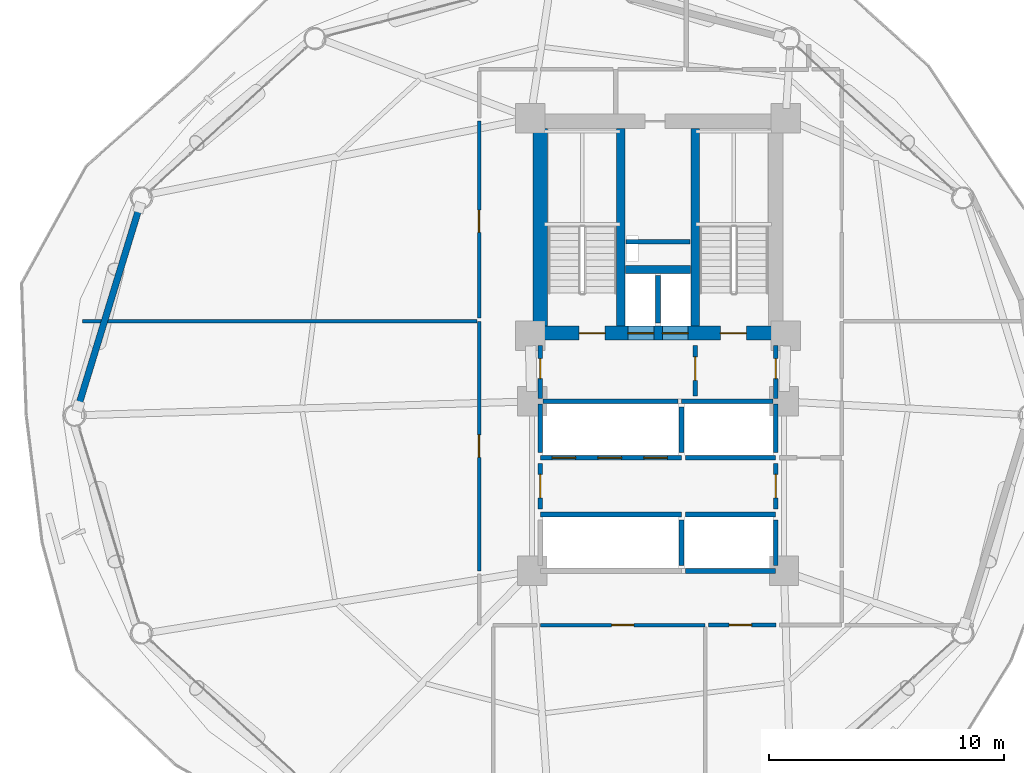
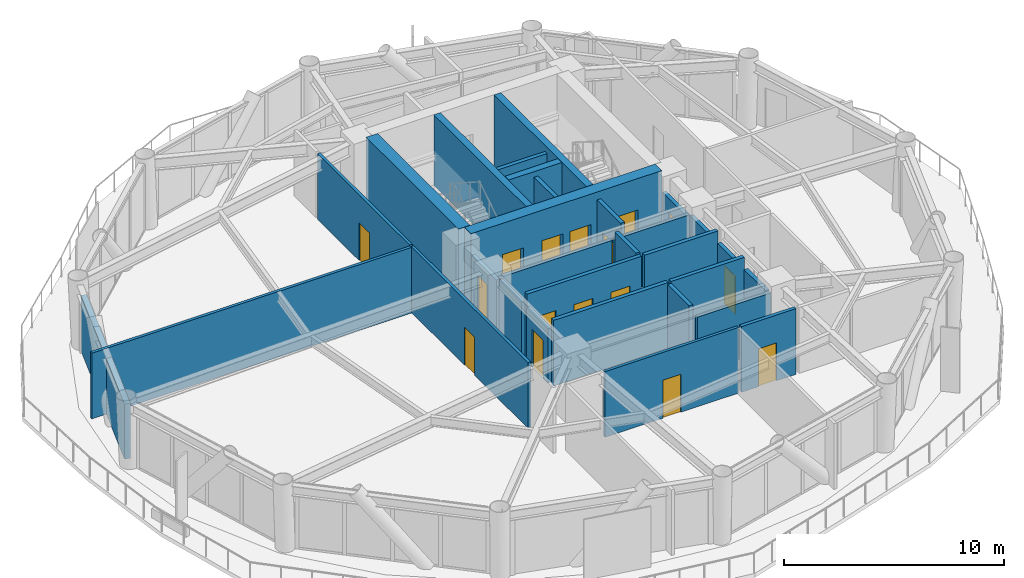
# One storey, part 19 of 23: 30 walls, 16 doors, 16 openings.
"""IFC4 building model written with IfcOpenShell, lengths in metres."""

from ifc_helpers import new_model, si_unit, direction, frame, frame_2d, origin, place, context, subcontext, project, spatial, rectangle, extrude, material, layer, layer_set, type_object, element, fill, save


model = new_model("IFC4")

# Units and contexts
model_context = context("Model", 3, precision=1e-05, world=origin(), true_north=direction((0.0, 1.0)))
body_context = subcontext(model_context, "Body", "Model", "MODEL_VIEW")
ifc_project = project(units=[si_unit("LENGTHUNIT", "METRE"), si_unit("AREAUNIT", "SQUARE_METRE"), si_unit("VOLUMEUNIT", "CUBIC_METRE"), si_unit("PLANEANGLEUNIT", "RADIAN"), si_unit("MASSUNIT", "GRAM", prefix="KILO")], contexts=[model_context])

# Site, building, storey
site_placement = place(None, origin())
site = spatial("IfcSite", under=ifc_project, at=site_placement, CompositionType="ELEMENT")
building_placement = place(site_placement, origin())
building = spatial("IfcBuilding", under=site, at=building_placement, Name="Varnakorn Sky Granary", CompositionType="ELEMENT")
storey_placement = place(building_placement, frame((0.0, 0.0, 31.5)))
storey = spatial("IfcBuildingStorey", under=building, at=storey_placement, Name="L07", CompositionType="ELEMENT", Elevation=31.5)

# Walls
ifc_material_1 = material(Name="Concrete C50/60", Category="concrete")
ifc_layer_1 = layer(ifc_material_1, 0.35009765625, Name="Concrete C50/60")
ifc_layer_set_1 = layer_set([ifc_layer_1], Name="Concrete C50/60")
wall_type_1 = type_object("IfcWallType", Name="WT-CW-INT-350", PredefinedType="SHEAR", material=ifc_layer_set_1)
for number, where, z_axis, x_axis, name in (
    (1, (1.419921875, 3.81005859375, 0.0), (0.0, 0.0, 1.0), (0.0, 1.0, 0.0), "Stair ST-1 Core Wall L07"),
    (2, (4.580078125, 3.81005859375, 0.0), (0.0, 0.0, 1.0), (0.0, 1.0, 0.0), "Stair ST-2 Core Wall L07"),
):
    element("IfcWall", number, at=place(storey_placement, frame(where, z_axis=z_axis, x_axis=x_axis)), inside=storey, type_object=wall_type_1, Name=name, PredefinedType="SHEAR", context=body_context, shape_type="SweptSolid", body=[
        extrude(rectangle(XDim=8.3798828125, YDim=0.35009765625, at=frame_2d((4.18994140625, 0.0))), origin(), (0.0, 0.0, 1.0), 3.89208984375),
    ])
wall_1_placement = place(storey_placement, frame((1.610107421875, 6.199951171875, 0.0), z_axis=(0.0, 0.0, 1.0), x_axis=(1.0, 0.0, 0.0)))
element("IfcWall", 3, at=wall_1_placement, inside=storey, type_object=wall_type_1, Name="Core Lift Shaft Cross Wall L07", PredefinedType="SHEAR", context=body_context, shape_type="SweptSolid", body=[
    extrude(rectangle(XDim=2.77978515625, YDim=0.35009765625, at=frame_2d((1.389892578125, 0.0))), origin(), (0.0, 0.0, 1.0), 3.89208984375),
])

# Wall, openings, doors
ifc_material_2 = material(Name="Concrete C60/75", Category="concrete")
ifc_layer_2 = layer(ifc_material_2, 0.60009765625, Name="Concrete C60/75")
ifc_layer_set_2 = layer_set([ifc_layer_2], Name="Concrete C60/75")
wall_type_2 = type_object("IfcWallType", Name="WT-CW-SHEAR-600", PredefinedType="SHEAR", material=ifc_layer_set_2)
wall_2_placement = place(storey_placement, frame((-2.0, 3.5, 0.0), z_axis=(0.0, 0.0, 1.0), x_axis=(1.0, 0.0, 0.0)))
wall_2 = element("IfcWall", 4, at=wall_2_placement, inside=storey, type_object=wall_type_2, Name="Core South Shear Wall L07", PredefinedType="SHEAR", context=body_context, shape_type="SweptSolid", body=[
    extrude(rectangle(XDim=10.0, YDim=0.60009765625, at=frame_2d((5.0, 0.0))), origin(), (0.0, 0.0, 1.0), 3.89208984375),
])
opening_1_placement = place(wall_2_placement, frame((1.64990234375, 0.0, 0.0)))
opening_1 = element("IfcOpeningElement", 5, at=opening_1_placement, cuts=wall_2, Name="Opening FD-90", PredefinedType="OPENING", context=body_context, shape_type="SweptSolid", body=[
    extrude(rectangle(XDim=1.10009765625, YDim=2.14990234375, at=frame_2d((0.550048828125, 1.074951171875))), frame((0.0, 0.31005859375, 0.0), z_axis=(0.0, -1.0, 0.0), x_axis=(1.0, 0.0, 0.0)), (0.0, 0.0, 1.0), 0.6201171875),
])
opening_2_placement = place(wall_2_placement, frame((7.64990234375, 0.0, 0.0)))
opening_2 = element("IfcOpeningElement", 6, at=opening_2_placement, cuts=wall_2, Name="Opening FD-90", PredefinedType="OPENING", context=body_context, shape_type="SweptSolid", body=[
    extrude(rectangle(XDim=1.10009765625, YDim=2.14990234375, at=frame_2d((0.550048828125, 1.074951171875))), frame((0.0, 0.31005859375, 0.0), z_axis=(0.0, -1.0, 0.0), x_axis=(1.0, 0.0, 0.0)), (0.0, 0.0, 1.0), 0.6201171875),
])
opening_3_placement = place(wall_2_placement, frame((3.719970703125, 0.0, 0.0)))
opening_3 = element("IfcOpeningElement", 7, at=opening_3_placement, cuts=wall_2, Name="Opening LD-01", PredefinedType="OPENING", context=body_context, shape_type="SweptSolid", body=[
    extrude(rectangle(XDim=1.10009765625, YDim=2.199951171875, at=frame_2d((0.550048828125, 1.10009765625))), frame((0.0, 0.31005859375, 0.0), z_axis=(0.0, -1.0, 0.0), x_axis=(1.0, 0.0, 0.0)), (0.0, 0.0, 1.0), 0.6201171875),
])
opening_4_placement = place(wall_2_placement, frame((5.179931640625, 0.0, 0.0)))
opening_4 = element("IfcOpeningElement", 8, at=opening_4_placement, cuts=wall_2, Name="Opening LD-01", PredefinedType="OPENING", context=body_context, shape_type="SweptSolid", body=[
    extrude(rectangle(XDim=1.10009765625, YDim=2.199951171875, at=frame_2d((0.550048828125, 1.10009765625))), frame((0.0, 0.31005859375, 0.0), z_axis=(0.0, -1.0, 0.0), x_axis=(1.0, 0.0, 0.0)), (0.0, 0.0, 1.0), 0.6201171875),
])
ifc_material_3 = material(Name="Brushed Bronze Stainless Steel", Category="steel")
door_type_1 = type_object("IfcDoorType", Name="DR-LD-1100", OperationType="DOUBLE_DOOR_SLIDING", PredefinedType="DOOR", material=ifc_material_3)
door_1_placement = place(opening_3_placement, origin())
door_1 = element("IfcDoor", 9, at=door_1_placement, inside=storey, type_object=door_type_1, Name="Firefighting Lift FFL-1 Landing Door L07", OperationType="DOUBLE_DOOR_SLIDING", OverallHeight=2.199951171875, OverallWidth=1.10009765625, PredefinedType="DOOR", context=body_context, shape_type="SweptSolid", body=[
    extrude(rectangle(XDim=1.10009765625, YDim=2.199951171875, at=frame_2d((0.550048828125, 1.10009765625))), frame((0.0, 0.02490234375, 0.0), z_axis=(0.0, -1.0, 0.0), x_axis=(1.0, 0.0, 0.0)), (0.0, 0.0, 1.0), 0.050048828125),
])
fill(opening_3, door_1)
door_2_placement = place(opening_4_placement, origin())
door_2 = element("IfcDoor", 10, at=door_2_placement, inside=storey, type_object=door_type_1, Name="Firefighting Lift FFL-2 Landing Door L07", OperationType="DOUBLE_DOOR_SLIDING", OverallHeight=2.199951171875, OverallWidth=1.10009765625, PredefinedType="DOOR", context=body_context, shape_type="SweptSolid", body=[
    extrude(rectangle(XDim=1.10009765625, YDim=2.199951171875, at=frame_2d((0.550048828125, 1.10009765625))), frame((0.0, 0.02490234375, 0.0), z_axis=(0.0, -1.0, 0.0), x_axis=(1.0, 0.0, 0.0)), (0.0, 0.0, 1.0), 0.050048828125),
])
fill(opening_4, door_2)
ifc_material_4 = material(Name="Galvanised Painted Steel Leaf", Category="steel")
door_type_2 = type_object("IfcDoorType", Name="DR-STAIR-1100", OperationType="NOTDEFINED", PredefinedType="DOOR", material=ifc_material_4)
door_3_placement = place(opening_1_placement, origin())
door_3 = element("IfcDoor", 11, at=door_3_placement, inside=storey, type_object=door_type_2, Name="Stair ST-1 Protected Fire Door L07", OperationType="SINGLE_SWING_LEFT", OverallHeight=2.14990234375, OverallWidth=1.10009765625, PredefinedType="DOOR", context=body_context, shape_type="SweptSolid", body=[
    extrude(rectangle(XDim=1.10009765625, YDim=2.14990234375, at=frame_2d((0.550048828125, 1.074951171875))), frame((0.0, 0.02490234375, 0.0), z_axis=(0.0, -1.0, 0.0), x_axis=(1.0, 0.0, 0.0)), (0.0, 0.0, 1.0), 0.050048828125),
])
fill(opening_1, door_3)
door_4_placement = place(opening_2_placement, origin())
door_4 = element("IfcDoor", 12, at=door_4_placement, inside=storey, type_object=door_type_2, Name="Stair ST-2 Protected Fire Door L07", OperationType="SINGLE_SWING_RIGHT", OverallHeight=2.14990234375, OverallWidth=1.10009765625, PredefinedType="DOOR", context=body_context, shape_type="SweptSolid", body=[
    extrude(rectangle(XDim=1.10009765625, YDim=2.14990234375, at=frame_2d((0.550048828125, 1.074951171875))), frame((0.0, 0.02490234375, 0.0), z_axis=(0.0, -1.0, 0.0), x_axis=(1.0, 0.0, 0.0)), (0.0, 0.0, 1.0), 0.050048828125),
])
fill(opening_2, door_4)

# Walls
wall_3_placement = place(storey_placement, frame((-2.0, 3.81005859375, 0.0), z_axis=(0.0, 0.0, 1.0), x_axis=(0.0, 1.0, 0.0)))
element("IfcWall", 13, at=wall_3_placement, inside=storey, type_object=wall_type_2, Name="Core West Shear Wall L07", PredefinedType="SHEAR", context=body_context, shape_type="SweptSolid", body=[
    extrude(rectangle(XDim=8.3798828125, YDim=0.60009765625, at=frame_2d((4.18994140625, 0.0))), origin(), (0.0, 0.0, 1.0), 3.89208984375),
])
ifc_material_5 = material(Name="Precast concrete C40/50", Category="concrete")
ifc_layer_3 = layer(ifc_material_5, 0.280029296875, Name="Precast concrete C40/50")
ifc_layer_set_3 = layer_set([ifc_layer_3], Name="Precast concrete C40/50")
wall_type_3 = type_object("IfcWallType", Name="WT-EW-CRN-280", PredefinedType="SOLIDWALL", material=ifc_layer_set_3)
wall_4_placement = place(storey_placement, frame((-21.6171875, 0.393798828125, 0.0), z_axis=(0.0, 0.0, 1.0), x_axis=(0.292933523891, 0.956132810116, 0.0)))
element("IfcWall", 14, at=wall_4_placement, inside=storey, type_object=wall_type_3, Name="Agritech Insulated Precast Facade Wall L07-P06", PredefinedType="SOLIDWALL", context=body_context, shape_type="SweptSolid", body=[
    extrude(rectangle(XDim=8.830322265625, YDim=0.280029296875, at=frame_2d((4.4150390625, 0.0))), origin(), (0.0, 0.0, 1.0), 3.06005859375),
])

# Wall, opening, door
ifc_material_6 = material(Name="Autoclaved Aerated Concrete Blockwork", Category="masonry")
ifc_layer_4 = layer(ifc_material_6, 0.199951171875, Name="Autoclaved Aerated Concrete Blockwork")
ifc_layer_set_4 = layer_set([ifc_layer_4], Name="Autoclaved Aerated Concrete Blockwork")
wall_type_4 = type_object("IfcWallType", Name="WT-FIRE-200", PredefinedType="MOVABLE", material=ifc_layer_set_4)
wall_5_placement = place(storey_placement, frame((4.580078125, 0.830078125, 0.0), z_axis=(0.0, 0.0, 1.0), x_axis=(0.0, 1.0, 0.0)))
wall_5 = element("IfcWall", 15, at=wall_5_placement, inside=storey, type_object=wall_type_4, Name="Interior Partition Wall L07-016", PredefinedType="MOVABLE", context=body_context, shape_type="SweptSolid", body=[
    extrude(rectangle(XDim=2.139892578125, YDim=0.199951171875, at=frame_2d((1.06982421875, 0.0))), origin(), (0.0, 0.0, 1.0), 3.639892578125),
])
opening_5_placement = place(wall_5_placement, frame((0.659912109375, 0.0, 0.0)))
opening_5 = element("IfcOpeningElement", 16, at=opening_5_placement, cuts=wall_5, Name="Opening FD-60", PredefinedType="OPENING", context=body_context, shape_type="SweptSolid", body=[
    extrude(rectangle(XDim=1.0, YDim=2.10009765625, at=frame_2d((0.5, 1.050048828125))), frame((0.0, 0.10986328125, 0.0), z_axis=(0.0, -1.0, 0.0), x_axis=(1.0, 0.0, 0.0)), (0.0, 0.0, 1.0), 0.219970703125),
])
ifc_material_7 = material(Name="Acoustic Timber Fire Leaf", Category="wood")
door_type_3 = type_object("IfcDoorType", Name="DR-FD60-1000", OperationType="NOTDEFINED", PredefinedType="DOOR", material=ifc_material_7)
door_5_placement = place(opening_5_placement, origin())
door_5 = element("IfcDoor", 17, at=door_5_placement, inside=storey, type_object=door_type_3, Name="Interior Door L07-016-1", OperationType="SINGLE_SWING_RIGHT", OverallHeight=2.10009765625, OverallWidth=1.0, PredefinedType="DOOR", context=body_context, shape_type="SweptSolid", body=[
    extrude(rectangle(XDim=1.0, YDim=2.10009765625, at=frame_2d((0.5, 1.050048828125))), frame((0.0, 0.02490234375, 0.0), z_axis=(0.0, -1.0, 0.0), x_axis=(1.0, 0.0, 0.0)), (0.0, 0.0, 1.0), 0.050048828125),
])
fill(opening_5, door_5)

wall_6_placement = place(storey_placement, frame((-2.0, 0.719970703125, 0.0), z_axis=(0.0, 0.0, 1.0), x_axis=(0.0, 1.0, 0.0)))
wall_6 = element("IfcWall", 18, at=wall_6_placement, inside=storey, type_object=wall_type_4, Name="Interior Partition Wall L07-017", PredefinedType="MOVABLE", context=body_context, shape_type="SweptSolid", body=[
    extrude(rectangle(XDim=2.25, YDim=0.199951171875, at=frame_2d((1.125, 0.0))), origin(), (0.0, 0.0, 1.0), 2.8720703125),
])
opening_6_placement = place(wall_6_placement, frame((0.844970703125, 0.0, 0.0)))
opening_6 = element("IfcOpeningElement", 19, at=opening_6_placement, cuts=wall_6, Name="Opening FD-60N", PredefinedType="OPENING", context=body_context, shape_type="SweptSolid", body=[
    extrude(rectangle(XDim=0.85009765625, YDim=2.10009765625, at=frame_2d((0.425048828125, 1.050048828125))), frame((0.0, 0.10986328125, 0.0), z_axis=(0.0, -1.0, 0.0), x_axis=(1.0, 0.0, 0.0)), (0.0, 0.0, 1.0), 0.219970703125),
])
door_type_4 = type_object("IfcDoorType", Name="DR-FD60-850", OperationType="NOTDEFINED", PredefinedType="DOOR", material=ifc_material_7)
door_6_placement = place(opening_6_placement, origin())
door_6 = element("IfcDoor", 20, at=door_6_placement, inside=storey, type_object=door_type_4, Name="Interior Door L07-017-1", OperationType="SINGLE_SWING_LEFT", OverallHeight=2.10009765625, OverallWidth=0.85009765625, PredefinedType="DOOR", context=body_context, shape_type="SweptSolid", body=[
    extrude(rectangle(XDim=0.85009765625, YDim=2.10009765625, at=frame_2d((0.425048828125, 1.050048828125))), frame((0.0, 0.02490234375, 0.0), z_axis=(0.0, -1.0, 0.0), x_axis=(1.0, 0.0, 0.0)), (0.0, 0.0, 1.0), 0.050048828125),
])
fill(opening_6, door_6)

wall_7_placement = place(storey_placement, frame((8.0, 0.719970703125, 0.0), z_axis=(0.0, 0.0, 1.0), x_axis=(0.0, 1.0, 0.0)))
wall_7 = element("IfcWall", 21, at=wall_7_placement, inside=storey, type_object=wall_type_4, Name="Interior Partition Wall L07-018", PredefinedType="MOVABLE", context=body_context, shape_type="SweptSolid", body=[
    extrude(rectangle(XDim=2.25, YDim=0.199951171875, at=frame_2d((1.125, 0.0))), origin(), (0.0, 0.0, 1.0), 2.8720703125),
])
opening_7_placement = place(wall_7_placement, frame((0.844970703125, 0.0, 0.0)))
opening_7 = element("IfcOpeningElement", 22, at=opening_7_placement, cuts=wall_7, Name="Opening FD-60N", PredefinedType="OPENING", context=body_context, shape_type="SweptSolid", body=[
    extrude(rectangle(XDim=0.85009765625, YDim=2.10009765625, at=frame_2d((0.425048828125, 1.050048828125))), frame((0.0, 0.10986328125, 0.0), z_axis=(0.0, -1.0, 0.0), x_axis=(1.0, 0.0, 0.0)), (0.0, 0.0, 1.0), 0.219970703125),
])
door_7_placement = place(opening_7_placement, origin())
door_7 = element("IfcDoor", 23, at=door_7_placement, inside=storey, type_object=door_type_4, Name="Interior Door L07-018-1", OperationType="SINGLE_SWING_RIGHT", OverallHeight=2.10009765625, OverallWidth=0.85009765625, PredefinedType="DOOR", context=body_context, shape_type="SweptSolid", body=[
    extrude(rectangle(XDim=0.85009765625, YDim=2.10009765625, at=frame_2d((0.425048828125, 1.050048828125))), frame((0.0, 0.02490234375, 0.0), z_axis=(0.0, -1.0, 0.0), x_axis=(1.0, 0.0, 0.0)), (0.0, 0.0, 1.0), 0.050048828125),
])
fill(opening_7, door_7)

wall_8_placement = place(storey_placement, frame((-2.0, -3.969970703125, 0.0), z_axis=(0.0, 0.0, 1.0), x_axis=(0.0, 1.0, 0.0)))
wall_8 = element("IfcWall", 24, at=wall_8_placement, inside=storey, type_object=wall_type_4, Name="Interior Partition Wall L07-019", PredefinedType="MOVABLE", context=body_context, shape_type="SweptSolid", body=[
    extrude(rectangle(XDim=1.93994140625, YDim=0.199951171875, at=frame_2d((0.969970703125, 0.0))), origin(), (0.0, 0.0, 1.0), 3.02197265625),
])
opening_8_placement = place(wall_8_placement, frame((0.469970703125, 0.0, 0.0)))
opening_8 = element("IfcOpeningElement", 25, at=opening_8_placement, cuts=wall_8, Name="Opening FD-60", PredefinedType="OPENING", context=body_context, shape_type="SweptSolid", body=[
    extrude(rectangle(XDim=1.0, YDim=2.10009765625, at=frame_2d((0.5, 1.050048828125))), frame((0.0, 0.10986328125, 0.0), z_axis=(0.0, -1.0, 0.0), x_axis=(1.0, 0.0, 0.0)), (0.0, 0.0, 1.0), 0.219970703125),
])
door_8_placement = place(opening_8_placement, origin())
door_8 = element("IfcDoor", 26, at=door_8_placement, inside=storey, type_object=door_type_3, Name="Interior Door L07-019-1", OperationType="SINGLE_SWING_LEFT", OverallHeight=2.10009765625, OverallWidth=1.0, PredefinedType="DOOR", context=body_context, shape_type="SweptSolid", body=[
    extrude(rectangle(XDim=1.0, YDim=2.10009765625, at=frame_2d((0.5, 1.050048828125))), frame((0.0, 0.02490234375, 0.0), z_axis=(0.0, -1.0, 0.0), x_axis=(1.0, 0.0, 0.0)), (0.0, 0.0, 1.0), 0.050048828125),
])
fill(opening_8, door_8)

wall_9_placement = place(storey_placement, frame((8.0, -3.969970703125, 0.0), z_axis=(0.0, 0.0, 1.0), x_axis=(0.0, 1.0, 0.0)))
wall_9 = element("IfcWall", 27, at=wall_9_placement, inside=storey, type_object=wall_type_4, Name="Interior Partition Wall L07-020", PredefinedType="MOVABLE", context=body_context, shape_type="SweptSolid", body=[
    extrude(rectangle(XDim=1.93994140625, YDim=0.199951171875, at=frame_2d((0.969970703125, 0.0))), origin(), (0.0, 0.0, 1.0), 3.072021484375),
])
opening_9_placement = place(wall_9_placement, frame((0.469970703125, 0.0, 0.0)))
opening_9 = element("IfcOpeningElement", 28, at=opening_9_placement, cuts=wall_9, Name="Opening FD-60", PredefinedType="OPENING", context=body_context, shape_type="SweptSolid", body=[
    extrude(rectangle(XDim=1.0, YDim=2.10009765625, at=frame_2d((0.5, 1.050048828125))), frame((0.0, 0.10986328125, 0.0), z_axis=(0.0, -1.0, 0.0), x_axis=(1.0, 0.0, 0.0)), (0.0, 0.0, 1.0), 0.219970703125),
])
door_9_placement = place(opening_9_placement, origin())
door_9 = element("IfcDoor", 29, at=door_9_placement, inside=storey, type_object=door_type_3, Name="Interior Door L07-020-1", OperationType="SINGLE_SWING_RIGHT", OverallHeight=2.10009765625, OverallWidth=1.0, PredefinedType="DOOR", context=body_context, shape_type="SweptSolid", body=[
    extrude(rectangle(XDim=1.0, YDim=2.10009765625, at=frame_2d((0.5, 1.050048828125))), frame((0.0, 0.02490234375, 0.0), z_axis=(0.0, -1.0, 0.0), x_axis=(1.0, 0.0, 0.0)), (0.0, 0.0, 1.0), 0.050048828125),
])
fill(opening_9, door_9)

# Wall
wall_10_placement = place(storey_placement, frame((-1.8798828125, 0.60009765625, 0.0), z_axis=(0.0, 0.0, 1.0), x_axis=(1.0, 0.0, 0.0)))
element("IfcWall", 30, at=wall_10_placement, inside=storey, type_object=wall_type_4, Name="Interior Partition Wall L07-029", PredefinedType="MOVABLE", context=body_context, shape_type="SweptSolid", body=[
    extrude(rectangle(XDim=5.719970703125, YDim=0.199951171875, at=frame_2d((2.85986328125, 0.0))), origin(), (0.0, 0.0, 1.0), 3.1220703125),
])

# Wall, opening, door
ifc_material_8 = material(Name="Gypsum Plasterboard on Steel Stud", Category="steel")
ifc_layer_5 = layer(ifc_material_8, 0.14990234375, Name="Gypsum Plasterboard on Steel Stud")
ifc_layer_set_5 = layer_set([ifc_layer_5], Name="Gypsum Plasterboard on Steel Stud")
wall_type_5 = type_object("IfcWallType", Name="WT-PART-150", PredefinedType="PARTITIONING", material=ifc_layer_set_5)
wall_11_placement = place(storey_placement, frame((-2.0, -8.89990234375, 0.0), z_axis=(0.0, 0.0, 1.0), x_axis=(1.0, 0.0, 0.0)))
wall_11 = element("IfcWall", 31, at=wall_11_placement, inside=storey, type_object=wall_type_5, Name="Interior Partition Wall L07-023", PredefinedType="PARTITIONING", context=body_context, shape_type="SweptSolid", body=[
    extrude(rectangle(XDim=7.0, YDim=0.14990234375, at=frame_2d((3.5, 0.0))), origin(), (0.0, 0.0, 1.0), 3.639892578125),
])
opening_10_placement = place(wall_11_placement, frame((3.02490234375, 0.0, 0.0)))
opening_10 = element("IfcOpeningElement", 32, at=opening_10_placement, cuts=wall_11, Name="Opening ID-95", PredefinedType="OPENING", context=body_context, shape_type="SweptSolid", body=[
    extrude(rectangle(XDim=0.949951171875, YDim=2.10009765625, at=frame_2d((0.47509765625, 1.050048828125))), frame((0.0, 0.0849609375, 0.0), z_axis=(0.0, -1.0, 0.0), x_axis=(1.0, 0.0, 0.0)), (0.0, 0.0, 1.0), 0.169921875),
])
ifc_material_9 = material(Name="Solid-Core Teak Veneer Leaf", Category="timber")
door_type_5 = type_object("IfcDoorType", Name="DR-INT-950", OperationType="NOTDEFINED", PredefinedType="DOOR", material=ifc_material_9)
door_10_placement = place(opening_10_placement, origin())
door_10 = element("IfcDoor", 33, at=door_10_placement, inside=storey, type_object=door_type_5, Name="Interior Door L07-023-1", OperationType="SINGLE_SWING_LEFT", OverallHeight=2.10009765625, OverallWidth=0.949951171875, PredefinedType="DOOR", context=body_context, shape_type="SweptSolid", body=[
    extrude(rectangle(XDim=0.949951171875, YDim=2.10009765625, at=frame_2d((0.47509765625, 1.050048828125))), frame((0.0, 0.02490234375, 0.0), z_axis=(0.0, -1.0, 0.0), x_axis=(1.0, 0.0, 0.0)), (0.0, 0.0, 1.0), 0.050048828125),
])
fill(opening_10, door_10)

wall_12_placement = place(storey_placement, frame((-4.60009765625, 4.0, 0.0), z_axis=(0.0, 0.0, 1.0), x_axis=(0.0, -1.0, 0.0)))
wall_12 = element("IfcWall", 34, at=wall_12_placement, inside=storey, type_object=wall_type_5, Name="Interior Partition Wall L07-025", PredefinedType="PARTITIONING", context=body_context, shape_type="SweptSolid", body=[
    extrude(rectangle(XDim=10.60009765625, YDim=0.14990234375, at=frame_2d((5.300048828125, 0.0))), origin(), (0.0, 0.0, 1.0), 3.639892578125),
])
opening_11_placement = place(wall_12_placement, frame((4.824951171875, 0.0, 0.0)))
opening_11 = element("IfcOpeningElement", 35, at=opening_11_placement, cuts=wall_12, Name="Opening ID-95", PredefinedType="OPENING", context=body_context, shape_type="SweptSolid", body=[
    extrude(rectangle(XDim=0.949951171875, YDim=2.10009765625, at=frame_2d((0.47509765625, 1.050048828125))), frame((0.0, 0.0849609375, 0.0), z_axis=(0.0, -1.0, 0.0), x_axis=(1.0, 0.0, 0.0)), (0.0, 0.0, 1.0), 0.169921875),
])
door_11_placement = place(opening_11_placement, origin())
door_11 = element("IfcDoor", 36, at=door_11_placement, inside=storey, type_object=door_type_5, Name="Interior Door L07-025-1", OperationType="SINGLE_SWING_LEFT", OverallHeight=2.10009765625, OverallWidth=0.949951171875, PredefinedType="DOOR", context=body_context, shape_type="SweptSolid", body=[
    extrude(rectangle(XDim=0.949951171875, YDim=2.10009765625, at=frame_2d((0.47509765625, 1.050048828125))), frame((0.0, 0.02490234375, 0.0), z_axis=(0.0, -1.0, 0.0), x_axis=(1.0, 0.0, 0.0)), (0.0, 0.0, 1.0), 0.050048828125),
])
fill(opening_11, door_11)

wall_13_placement = place(storey_placement, frame((-4.60009765625, 12.5, 0.0), z_axis=(0.0, 0.0, 1.0), x_axis=(0.0, -1.0, 0.0)))
wall_13 = element("IfcWall", 37, at=wall_13_placement, inside=storey, type_object=wall_type_5, Name="Interior Partition Wall L07-027", PredefinedType="PARTITIONING", context=body_context, shape_type="SweptSolid", body=[
    extrude(rectangle(XDim=8.364990234375, YDim=0.14990234375, at=frame_2d((4.1826171875, 0.0))), origin(), (0.0, 0.0, 1.0), 3.639892578125),
])
opening_12_placement = place(wall_13_placement, frame((3.77490234375, 0.0, 0.0)))
opening_12 = element("IfcOpeningElement", 38, at=opening_12_placement, cuts=wall_13, Name="Opening ID-95", PredefinedType="OPENING", context=body_context, shape_type="SweptSolid", body=[
    extrude(rectangle(XDim=0.949951171875, YDim=2.10009765625, at=frame_2d((0.47509765625, 1.050048828125))), frame((0.0, 0.0849609375, 0.0), z_axis=(0.0, -1.0, 0.0), x_axis=(1.0, 0.0, 0.0)), (0.0, 0.0, 1.0), 0.169921875),
])
door_12_placement = place(opening_12_placement, origin())
door_12 = element("IfcDoor", 39, at=door_12_placement, inside=storey, type_object=door_type_5, Name="Interior Door L07-027-1", OperationType="SINGLE_SWING_LEFT", OverallHeight=2.10009765625, OverallWidth=0.949951171875, PredefinedType="DOOR", context=body_context, shape_type="SweptSolid", body=[
    extrude(rectangle(XDim=0.949951171875, YDim=2.10009765625, at=frame_2d((0.47509765625, 1.050048828125))), frame((0.0, 0.02490234375, 0.0), z_axis=(0.0, -1.0, 0.0), x_axis=(1.0, 0.0, 0.0)), (0.0, 0.0, 1.0), 0.050048828125),
])
fill(opening_12, door_12)

# Wall
wall_14_placement = place(storey_placement, frame((-21.43896484375, 4.0, 0.0), z_axis=(0.0, 0.0, 1.0), x_axis=(1.0, 0.0, 0.0)))
element("IfcWall", 40, at=wall_14_placement, inside=storey, type_object=wall_type_5, Name="Interior Partition Wall L07-038", PredefinedType="PARTITIONING", context=body_context, shape_type="SweptSolid", body=[
    extrude(rectangle(XDim=16.75390625, YDim=0.14990234375, at=frame_2d((8.376953125, 0.0))), origin(), (0.0, 0.0, 1.0), 3.639892578125),
])

# Wall, opening, door
ifc_material_10 = material(Name="Moisture-Resistant Gypsum on Stud", Category="gypsum")
ifc_layer_6 = layer(ifc_material_10, 0.179931640625, Name="Moisture-Resistant Gypsum on Stud")
ifc_layer_set_6 = layer_set([ifc_layer_6], Name="Moisture-Resistant Gypsum on Stud")
wall_type_6 = type_object("IfcWallType", Name="WT-PLUMB-180", PredefinedType="PLUMBINGWALL", material=ifc_layer_set_6)
wall_15_placement = place(storey_placement, frame((5.135009765625, -8.89990234375, 0.0), z_axis=(0.0, 0.0, 1.0), x_axis=(1.0, 0.0, 0.0)))
wall_15 = element("IfcWall", 41, at=wall_15_placement, inside=storey, type_object=wall_type_6, Name="Interior Partition Wall L07-024", PredefinedType="PLUMBINGWALL", context=body_context, shape_type="SweptSolid", body=[
    extrude(rectangle(XDim=2.864990234375, YDim=0.179931640625, at=frame_2d((1.4326171875, 0.0))), origin(), (0.0, 0.0, 1.0), 3.639892578125),
])
opening_13_placement = place(wall_15_placement, frame((0.889892578125, 0.0, 0.0)))
opening_13 = element("IfcOpeningElement", 42, at=opening_13_placement, cuts=wall_15, Name="Opening ID-95", PredefinedType="OPENING", context=body_context, shape_type="SweptSolid", body=[
    extrude(rectangle(XDim=0.949951171875, YDim=2.10009765625, at=frame_2d((0.47509765625, 1.050048828125))), frame((0.0, 0.10009765625, 0.0), z_axis=(0.0, -1.0, 0.0), x_axis=(1.0, 0.0, 0.0)), (0.0, 0.0, 1.0), 0.199951171875),
])
door_13_placement = place(opening_13_placement, origin())
door_13 = element("IfcDoor", 43, at=door_13_placement, inside=storey, type_object=door_type_5, Name="Interior Door L07-024-1", OperationType="SINGLE_SWING_RIGHT", OverallHeight=2.10009765625, OverallWidth=0.949951171875, PredefinedType="DOOR", context=body_context, shape_type="SweptSolid", body=[
    extrude(rectangle(XDim=0.949951171875, YDim=2.10009765625, at=frame_2d((0.47509765625, 1.050048828125))), frame((0.0, 0.02490234375, 0.0), z_axis=(0.0, -1.0, 0.0), x_axis=(1.0, 0.0, 0.0)), (0.0, 0.0, 1.0), 0.050048828125),
])
fill(opening_13, door_13)

# Walls
ifc_layer_7 = layer(ifc_material_6, 0.199951171875, Name="Autoclaved Aerated Concrete Blockwork")
ifc_layer_set_7 = layer_set([ifc_layer_7], Name="Autoclaved Aerated Concrete Blockwork")
wall_type_7 = type_object("IfcWallType", Name="WT-SHAFT-200", PredefinedType="SOLIDWALL", material=ifc_layer_set_7)
wall_16_placement = place(storey_placement, frame((3.0, 3.919921875, 0.0), z_axis=(0.0, 0.0, 1.0), x_axis=(0.0, 1.0, 0.0)))
element("IfcWall", 44, at=wall_16_placement, inside=storey, type_object=wall_type_7, Name="Interior Partition Wall L07-001", PredefinedType="SOLIDWALL", context=body_context, shape_type="SweptSolid", body=[
    extrude(rectangle(XDim=2.030029296875, YDim=0.199951171875, at=frame_2d((1.01513671875, 0.0))), origin(), (0.0, 0.0, 1.0), 3.639892578125),
])
wall_17_placement = place(storey_placement, frame((1.64990234375, 7.3798828125, 0.0), z_axis=(0.0, 0.0, 1.0), x_axis=(1.0, 0.0, 0.0)))
element("IfcWall", 45, at=wall_17_placement, inside=storey, type_object=wall_type_7, Name="Interior Partition Wall L07-002", PredefinedType="SOLIDWALL", context=body_context, shape_type="SweptSolid", body=[
    extrude(rectangle(XDim=2.7001953125, YDim=0.199951171875, at=frame_2d((1.35009765625, 0.0))), origin(), (0.0, 0.0, 1.0), 3.639892578125),
])
wall_18_placement = place(storey_placement, frame((4.0, 0.60009765625, 0.0), z_axis=(0.0, 0.0, 1.0), x_axis=(1.0, 0.0, 0.0)))
element("IfcWall", 46, at=wall_18_placement, inside=storey, type_object=wall_type_7, Name="Interior Partition Wall L07-003", PredefinedType="SOLIDWALL", context=body_context, shape_type="SweptSolid", body=[
    extrude(rectangle(XDim=3.8798828125, YDim=0.199951171875, at=frame_2d((1.93994140625, 0.0))), origin(), (0.0, 0.0, 1.0), 3.1220703125),
])

# Wall, openings, doors
wall_19_placement = place(storey_placement, frame((-2.0, -1.800048828125, 0.0), z_axis=(0.0, 0.0, 1.0), x_axis=(1.0, 0.0, 0.0)))
wall_19 = element("IfcWall", 47, at=wall_19_placement, inside=storey, type_object=wall_type_7, Name="Interior Partition Wall L07-004", PredefinedType="SOLIDWALL", context=body_context, shape_type="SweptSolid", body=[
    extrude(rectangle(XDim=6.0, YDim=0.199951171875, at=frame_2d((3.0, 0.0))), origin(), (0.0, 0.0, 1.0), 3.639892578125),
])
opening_14_placement = place(wall_19_placement, frame((0.5, 0.0, 0.0)))
opening_14 = element("IfcOpeningElement", 48, at=opening_14_placement, cuts=wall_19, Name="Opening LD-03", PredefinedType="OPENING", context=body_context, shape_type="SweptSolid", body=[
    extrude(rectangle(XDim=1.0, YDim=2.199951171875, at=frame_2d((0.5, 1.10009765625))), frame((0.0, 0.10986328125, 0.0), z_axis=(0.0, -1.0, 0.0), x_axis=(1.0, 0.0, 0.0)), (0.0, 0.0, 1.0), 0.219970703125),
])
opening_15_placement = place(wall_19_placement, frame((2.449951171875, 0.0, 0.0)))
opening_15 = element("IfcOpeningElement", 49, at=opening_15_placement, cuts=wall_19, Name="Opening LD-03", PredefinedType="OPENING", context=body_context, shape_type="SweptSolid", body=[
    extrude(rectangle(XDim=1.0, YDim=2.199951171875, at=frame_2d((0.5, 1.10009765625))), frame((0.0, 0.10986328125, 0.0), z_axis=(0.0, -1.0, 0.0), x_axis=(1.0, 0.0, 0.0)), (0.0, 0.0, 1.0), 0.219970703125),
])
opening_16_placement = place(wall_19_placement, frame((4.39990234375, 0.0, 0.0)))
opening_16 = element("IfcOpeningElement", 50, at=opening_16_placement, cuts=wall_19, Name="Opening LD-03", PredefinedType="OPENING", context=body_context, shape_type="SweptSolid", body=[
    extrude(rectangle(XDim=1.0, YDim=2.199951171875, at=frame_2d((0.5, 1.10009765625))), frame((0.0, 0.10986328125, 0.0), z_axis=(0.0, -1.0, 0.0), x_axis=(1.0, 0.0, 0.0)), (0.0, 0.0, 1.0), 0.219970703125),
])
door_type_6 = type_object("IfcDoorType", Name="DR-LD-1000", OperationType="DOUBLE_DOOR_SLIDING", PredefinedType="DOOR", material=ifc_material_3)
door_14_placement = place(opening_14_placement, origin())
door_14 = element("IfcDoor", 51, at=door_14_placement, inside=storey, type_object=door_type_6, Name="Passenger Lift PL-L1 Sliding Landing Door L07", OperationType="DOUBLE_DOOR_SLIDING", OverallHeight=2.199951171875, OverallWidth=1.0, PredefinedType="DOOR", context=body_context, shape_type="SweptSolid", body=[
    extrude(rectangle(XDim=1.0, YDim=2.199951171875, at=frame_2d((0.5, 1.10009765625))), frame((0.0, 0.02490234375, 0.0), z_axis=(0.0, -1.0, 0.0), x_axis=(1.0, 0.0, 0.0)), (0.0, 0.0, 1.0), 0.050048828125),
])
fill(opening_14, door_14)
door_15_placement = place(opening_15_placement, origin())
door_15 = element("IfcDoor", 52, at=door_15_placement, inside=storey, type_object=door_type_6, Name="Passenger Lift PL-L2 Sliding Landing Door L07", OperationType="DOUBLE_DOOR_SLIDING", OverallHeight=2.199951171875, OverallWidth=1.0, PredefinedType="DOOR", context=body_context, shape_type="SweptSolid", body=[
    extrude(rectangle(XDim=1.0, YDim=2.199951171875, at=frame_2d((0.5, 1.10009765625))), frame((0.0, 0.02490234375, 0.0), z_axis=(0.0, -1.0, 0.0), x_axis=(1.0, 0.0, 0.0)), (0.0, 0.0, 1.0), 0.050048828125),
])
fill(opening_15, door_15)
door_16_placement = place(opening_16_placement, origin())
door_16 = element("IfcDoor", 53, at=door_16_placement, inside=storey, type_object=door_type_6, Name="Passenger Lift PL-L3 Sliding Landing Door L07", OperationType="DOUBLE_DOOR_SLIDING", OverallHeight=2.199951171875, OverallWidth=1.0, PredefinedType="DOOR", context=body_context, shape_type="SweptSolid", body=[
    extrude(rectangle(XDim=1.0, YDim=2.199951171875, at=frame_2d((0.5, 1.10009765625))), frame((0.0, 0.02490234375, 0.0), z_axis=(0.0, -1.0, 0.0), x_axis=(1.0, 0.0, 0.0)), (0.0, 0.0, 1.0), 0.050048828125),
])
fill(opening_16, door_16)

# Walls
wall_20_placement = place(storey_placement, frame((-2.0, -1.570068359375, 0.0), z_axis=(0.0, 0.0, 1.0), x_axis=(0.0, 1.0, 0.0)))
element("IfcWall", 54, at=wall_20_placement, inside=storey, type_object=wall_type_7, Name="Interior Partition Wall L07-005", PredefinedType="SOLIDWALL", context=body_context, shape_type="SweptSolid", body=[
    extrude(rectangle(XDim=2.050048828125, YDim=0.199951171875, at=frame_2d((1.02490234375, 0.0))), origin(), (0.0, 0.0, 1.0), 3.02197265625),
])
wall_21_placement = place(storey_placement, frame((4.159912109375, -1.800048828125, 0.0), z_axis=(0.0, 0.0, 1.0), x_axis=(1.0, 0.0, 0.0)))
element("IfcWall", 55, at=wall_21_placement, inside=storey, type_object=wall_type_7, Name="Interior Partition Wall L07-006", PredefinedType="SOLIDWALL", context=body_context, shape_type="SweptSolid", body=[
    extrude(rectangle(XDim=3.840087890625, YDim=0.199951171875, at=frame_2d((1.919921875, 0.0))), origin(), (0.0, 0.0, 1.0), 3.639892578125),
])
wall_22_placement = place(storey_placement, frame((4.0, -1.570068359375, 0.0), z_axis=(0.0, 0.0, 1.0), x_axis=(0.0, 1.0, 0.0)))
element("IfcWall", 56, at=wall_22_placement, inside=storey, type_object=wall_type_7, Name="Interior Partition Wall L07-007", PredefinedType="SOLIDWALL", context=body_context, shape_type="SweptSolid", body=[
    extrude(rectangle(XDim=1.940185546875, YDim=0.199951171875, at=frame_2d((0.97021484375, 0.0))), origin(), (0.0, 0.0, 1.0), 3.639892578125),
])
wall_23_placement = place(storey_placement, frame((8.0, -1.570068359375, 0.0), z_axis=(0.0, 0.0, 1.0), x_axis=(0.0, 1.0, 0.0)))
element("IfcWall", 57, at=wall_23_placement, inside=storey, type_object=wall_type_7, Name="Interior Partition Wall L07-008", PredefinedType="SOLIDWALL", context=body_context, shape_type="SweptSolid", body=[
    extrude(rectangle(XDim=2.050048828125, YDim=0.199951171875, at=frame_2d((1.02490234375, 0.0))), origin(), (0.0, 0.0, 1.0), 3.072021484375),
])
wall_24_placement = place(storey_placement, frame((-2.0, -4.199951171875, 0.0), z_axis=(0.0, 0.0, 1.0), x_axis=(1.0, 0.0, 0.0)))
element("IfcWall", 58, at=wall_24_placement, inside=storey, type_object=wall_type_7, Name="Interior Partition Wall L07-009", PredefinedType="SOLIDWALL", context=body_context, shape_type="SweptSolid", body=[
    extrude(rectangle(XDim=6.0, YDim=0.199951171875, at=frame_2d((3.0, 0.0))), origin(), (0.0, 0.0, 1.0), 3.639892578125),
])
wall_25_placement = place(storey_placement, frame((4.159912109375, -4.199951171875, 0.0), z_axis=(0.0, 0.0, 1.0), x_axis=(1.0, 0.0, 0.0)))
element("IfcWall", 59, at=wall_25_placement, inside=storey, type_object=wall_type_7, Name="Interior Partition Wall L07-012", PredefinedType="SOLIDWALL", context=body_context, shape_type="SweptSolid", body=[
    extrude(rectangle(XDim=3.840087890625, YDim=0.199951171875, at=frame_2d((1.919921875, 0.0))), origin(), (0.0, 0.0, 1.0), 3.639892578125),
])
wall_26_placement = place(storey_placement, frame((4.159912109375, -6.60009765625, 0.0), z_axis=(0.0, 0.0, 1.0), x_axis=(1.0, 0.0, 0.0)))
element("IfcWall", 60, at=wall_26_placement, inside=storey, type_object=wall_type_7, Name="Interior Partition Wall L07-013", PredefinedType="SOLIDWALL", context=body_context, shape_type="SweptSolid", body=[
    extrude(rectangle(XDim=3.840087890625, YDim=0.199951171875, at=frame_2d((1.919921875, 0.0))), origin(), (0.0, 0.0, 1.0), 3.1220703125),
])
wall_27_placement = place(storey_placement, frame((4.0, -6.3701171875, 0.0), z_axis=(0.0, 0.0, 1.0), x_axis=(0.0, 1.0, 0.0)))
element("IfcWall", 61, at=wall_27_placement, inside=storey, type_object=wall_type_7, Name="Interior Partition Wall L07-014", PredefinedType="SOLIDWALL", context=body_context, shape_type="SweptSolid", body=[
    extrude(rectangle(XDim=1.940185546875, YDim=0.199951171875, at=frame_2d((0.97021484375, 0.0))), origin(), (0.0, 0.0, 1.0), 3.639892578125),
])
wall_28_placement = place(storey_placement, frame((8.0, -6.3701171875, 0.0), z_axis=(0.0, 0.0, 1.0), x_axis=(0.0, 1.0, 0.0)))
element("IfcWall", 62, at=wall_28_placement, inside=storey, type_object=wall_type_7, Name="Interior Partition Wall L07-015", PredefinedType="SOLIDWALL", context=body_context, shape_type="SweptSolid", body=[
    extrude(rectangle(XDim=1.940185546875, YDim=0.199951171875, at=frame_2d((0.97021484375, 0.0))), origin(), (0.0, 0.0, 1.0), 3.072021484375),
])

save(model, "model.ifc")
